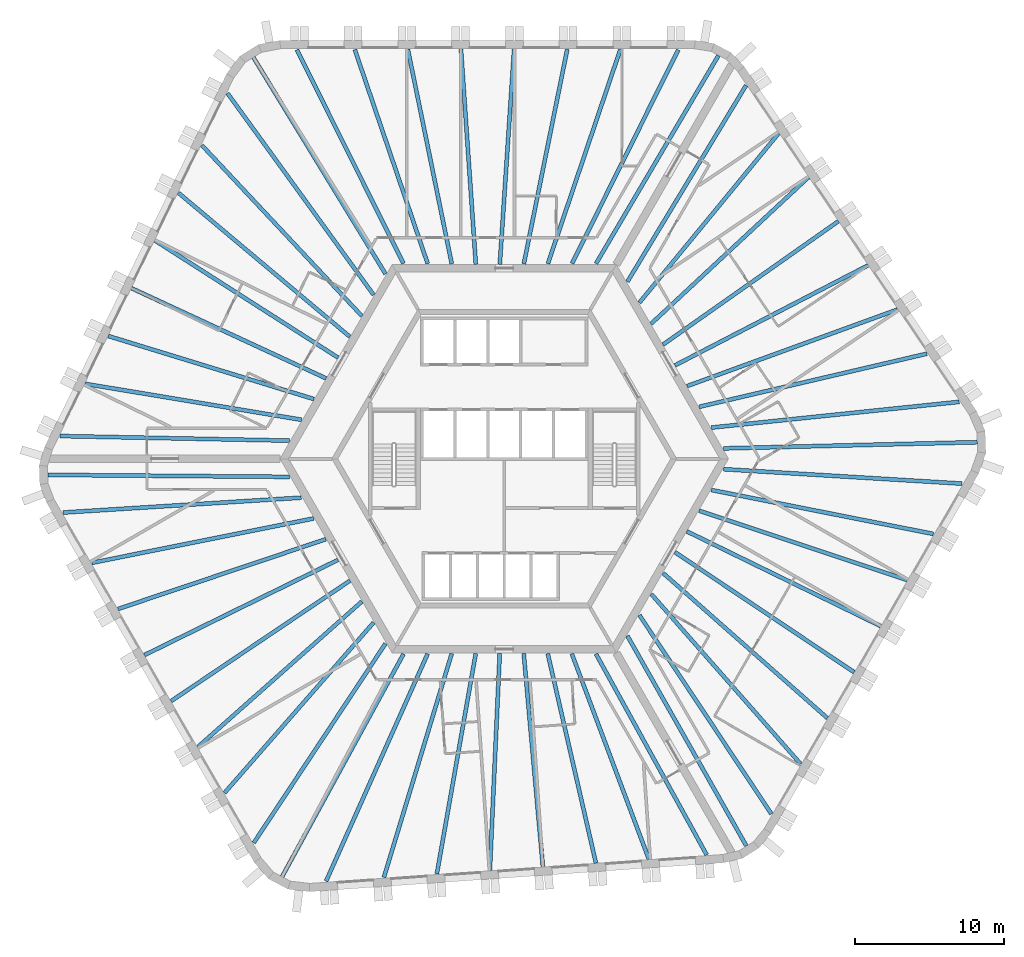
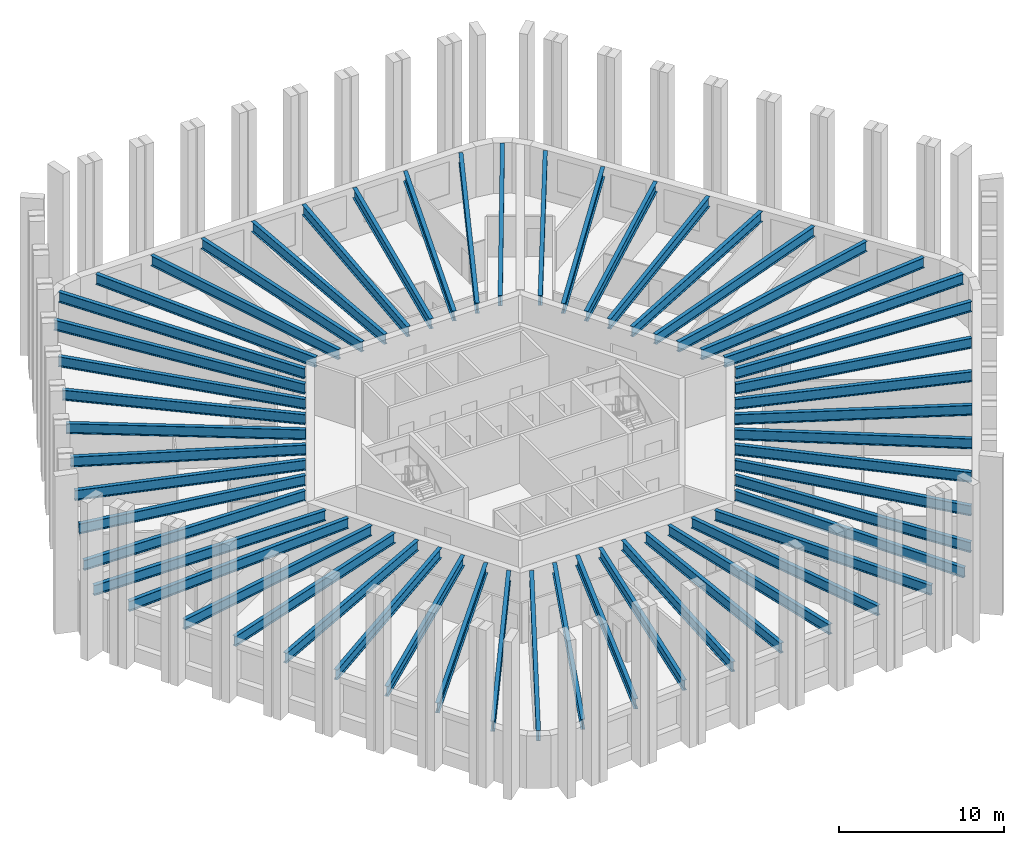
# One storey, part 1 of 9: 54 beams.
"""IFC4 building model written with IfcOpenShell, lengths in metres."""

from ifc_helpers import new_model, si_unit, direction, frame, origin, origin_2d, place, context, subcontext, project, spatial, i_section, extrude, material, material_profile, profile_set, type_object, element, save


model = new_model("IFC4")

# Units and contexts
model_context = context("Model", 3, precision=1e-05, world=origin(), true_north=direction((0.0, 1.0)))
body_context = subcontext(model_context, "Body", "Model", "MODEL_VIEW")
ifc_project = project(units=[si_unit("LENGTHUNIT", "METRE"), si_unit("AREAUNIT", "SQUARE_METRE"), si_unit("VOLUMEUNIT", "CUBIC_METRE"), si_unit("PLANEANGLEUNIT", "RADIAN"), si_unit("MASSUNIT", "GRAM", prefix="KILO")], contexts=[model_context])

# Site, building, storey
site_placement = place(None, origin())
site = spatial("IfcSite", under=ifc_project, at=site_placement, CompositionType="ELEMENT")
building_placement = place(site_placement, origin())
building = spatial("IfcBuilding", under=site, at=building_placement, Name="Tarnside Tower", CompositionType="ELEMENT")
storey_placement = place(building_placement, frame((0.0, 0.0, 215.10009765625)))
storey = spatial("IfcBuildingStorey", under=building, at=storey_placement, Name="L51", CompositionType="ELEMENT", Elevation=215.10009765625)

# Beams
ifc_material = material(Name="Steel S355", Category="steel")
ifc_material_profile_1 = material_profile(ifc_material, i_section(OverallWidth=0.26513671875, OverallDepth=0.75390625, WebThickness=0.0126953125, FlangeThickness=0.017578125, FilletRadius=0.0166015625, at=origin_2d()), Name="UB 762x267x147")
ifc_profile_set_1 = profile_set([ifc_material_profile_1], Name="Steel S355")
beam_type_1 = type_object("IfcBeamType", Name="Floor beam UB 762x267x147", PredefinedType="BEAM", material=ifc_profile_set_1)
beam_1_placement = place(storey_placement, frame((7.77001953125, 27.393310546875, 3.372802734375), z_axis=(-0.320362579778, -0.947295000239, 0.0), x_axis=(0.947295000239, -0.320362579778, 0.0)))
element("IfcBeam", 1, at=beam_1_placement, inside=storey, type_object=beam_type_1, Name="Floor beam F1.02", PredefinedType="BEAM", context=body_context, shape_type="SweptSolid", body=[
    extrude(i_section(OverallWidth=0.26513671875, OverallDepth=0.75390625, WebThickness=0.0126953125, FlangeThickness=0.017578125, FilletRadius=0.0166015625, at=origin_2d()), origin(), (0.0, 0.0, 1.0), 15.134033203125),
])
beam_2_placement = place(storey_placement, frame((4.218505859375, 27.410888671875, 3.372802734375), z_axis=(-0.19841777413, -0.980117537293, 0.0), x_axis=(0.980117537293, -0.19841777413, 0.0)))
element("IfcBeam", 2, at=beam_2_placement, inside=storey, type_object=beam_type_1, Name="Floor beam F1.03", PredefinedType="BEAM", context=body_context, shape_type="SweptSolid", body=[
    extrude(i_section(OverallWidth=0.26513671875, OverallDepth=0.75390625, WebThickness=0.0126953125, FlangeThickness=0.017578125, FilletRadius=0.0166015625, at=origin_2d()), origin(), (0.0, 0.0, 1.0), 14.6630859375),
])
beam_3_placement = place(storey_placement, frame((0.66259765625, 27.429931640625, 3.372802734375), z_axis=(-0.066554914868, -0.997782763585, 0.0), x_axis=(0.997782763585, -0.066554914868, 0.0)))
element("IfcBeam", 3, at=beam_3_placement, inside=storey, type_object=beam_type_1, Name="Floor beam F1.04", PredefinedType="BEAM", context=body_context, shape_type="SweptSolid", body=[
    extrude(i_section(OverallWidth=0.26513671875, OverallDepth=0.75390625, WebThickness=0.0126953125, FlangeThickness=0.017578125, FilletRadius=0.0166015625, at=origin_2d()), origin(), (0.0, 0.0, 1.0), 14.44189453125),
])
beam_4_placement = place(storey_placement, frame((-2.8974609375, 27.429931640625, 3.372802734375), z_axis=(0.068876921658, -0.997625164911, 0.0), x_axis=(0.997625164911, 0.068876921658, 0.0)))
element("IfcBeam", 4, at=beam_4_placement, inside=storey, type_object=beam_type_1, Name="Floor beam F1.05", PredefinedType="BEAM", context=body_context, shape_type="SweptSolid", body=[
    extrude(i_section(OverallWidth=0.26513671875, OverallDepth=0.75390625, WebThickness=0.0126953125, FlangeThickness=0.017578125, FilletRadius=0.0166015625, at=origin_2d()), origin(), (0.0, 0.0, 1.0), 14.4443359375),
])
beam_5_placement = place(storey_placement, frame((-6.45361328125, 27.410888671875, 3.372802734375), z_axis=(0.200623497398, -0.979668419564, 0.0), x_axis=(0.979668419564, 0.200623497398, 0.0)))
element("IfcBeam", 5, at=beam_5_placement, inside=storey, type_object=beam_type_1, Name="Floor beam F1.06", PredefinedType="BEAM", context=body_context, shape_type="SweptSolid", body=[
    extrude(i_section(OverallWidth=0.26513671875, OverallDepth=0.75390625, WebThickness=0.0126953125, FlangeThickness=0.017578125, FilletRadius=0.0166015625, at=origin_2d()), origin(), (0.0, 0.0, 1.0), 14.669921875),
])
beam_6_placement = place(storey_placement, frame((-10.0048828125, 27.393310546875, 3.372802734375), z_axis=(0.322343712034, -0.946622697442, 0.0), x_axis=(0.946622697442, 0.322343712034, 0.0)))
element("IfcBeam", 6, at=beam_6_placement, inside=storey, type_object=beam_type_1, Name="Floor beam F1.07", PredefinedType="BEAM", context=body_context, shape_type="SweptSolid", body=[
    extrude(i_section(OverallWidth=0.26513671875, OverallDepth=0.75390625, WebThickness=0.0126953125, FlangeThickness=0.017578125, FilletRadius=0.0166015625, at=origin_2d()), origin(), (0.0, 0.0, 1.0), 15.144775390625),
])
beam_7_placement = place(storey_placement, frame((-20.241455078125, 20.9892578125, 3.372802734375), z_axis=(0.683752330283, -0.729714156936, 0.0), x_axis=(0.729714156936, 0.683752330283, 0.0)))
element("IfcBeam", 7, at=beam_7_placement, inside=storey, type_object=beam_type_1, Name="Floor beam F2.02", PredefinedType="BEAM", context=body_context, shape_type="SweptSolid", body=[
    extrude(i_section(OverallWidth=0.26513671875, OverallDepth=0.75390625, WebThickness=0.0126953125, FlangeThickness=0.017578125, FilletRadius=0.0166015625, at=origin_2d()), origin(), (0.0, 0.0, 1.0), 15.6591796875),
])
beam_8_placement = place(storey_placement, frame((-21.81396484375, 17.80419921875, 3.372802734375), z_axis=(0.765948461073, -0.642901979294, 0.0), x_axis=(0.642901979294, 0.765948461073, 0.0)))
element("IfcBeam", 8, at=beam_8_placement, inside=storey, type_object=beam_type_1, Name="Floor beam F2.03", PredefinedType="BEAM", context=body_context, shape_type="SweptSolid", body=[
    extrude(i_section(OverallWidth=0.26513671875, OverallDepth=0.75390625, WebThickness=0.0126953125, FlangeThickness=0.017578125, FilletRadius=0.0166015625, at=origin_2d()), origin(), (0.0, 0.0, 1.0), 14.982177734375),
])
beam_9_placement = place(storey_placement, frame((-23.389892578125, 14.616455078125, 3.372802734375), z_axis=(0.842378275633, -0.538886667808, 0.0), x_axis=(0.538886667808, 0.842378275633, 0.0)))
element("IfcBeam", 9, at=beam_9_placement, inside=storey, type_object=beam_type_1, Name="Floor beam F2.04", PredefinedType="BEAM", context=body_context, shape_type="SweptSolid", body=[
    extrude(i_section(OverallWidth=0.26513671875, OverallDepth=0.75390625, WebThickness=0.0126953125, FlangeThickness=0.017578125, FilletRadius=0.0166015625, at=origin_2d()), origin(), (0.0, 0.0, 1.0), 14.5595703125),
])
beam_10_placement = place(storey_placement, frame((-24.9501953125, 11.416748046875, 3.372802734375), z_axis=(0.907310131748, -0.420462037321, 0.0), x_axis=(0.420462037321, 0.907310131748, 0.0)))
element("IfcBeam", 10, at=beam_10_placement, inside=storey, type_object=beam_type_1, Name="Floor beam F2.05", PredefinedType="BEAM", context=body_context, shape_type="SweptSolid", body=[
    extrude(i_section(OverallWidth=0.26513671875, OverallDepth=0.75390625, WebThickness=0.0126953125, FlangeThickness=0.017578125, FilletRadius=0.0166015625, at=origin_2d()), origin(), (0.0, 0.0, 1.0), 14.353515625),
])
beam_11_placement = place(storey_placement, frame((-26.510986328125, 8.2177734375, 3.372802734375), z_axis=(0.956073348261, -0.293127536654, 0.0), x_axis=(0.293127536654, 0.956073348261, 0.0)))
element("IfcBeam", 11, at=beam_11_placement, inside=storey, type_object=beam_type_1, Name="Floor beam F2.06", PredefinedType="BEAM", context=body_context, shape_type="SweptSolid", body=[
    extrude(i_section(OverallWidth=0.26513671875, OverallDepth=0.75390625, WebThickness=0.0126953125, FlangeThickness=0.017578125, FilletRadius=0.0166015625, at=origin_2d()), origin(), (0.0, 0.0, 1.0), 14.3955078125),
])
beam_12_placement = place(storey_placement, frame((-28.0517578125, 5.015869140625, 3.372802734375), z_axis=(0.986476498304, -0.163902770858, 0.0), x_axis=(0.163902770858, 0.986476498304, 0.0)))
element("IfcBeam", 12, at=beam_12_placement, inside=storey, type_object=beam_type_1, Name="Floor beam F2.07", PredefinedType="BEAM", context=body_context, shape_type="SweptSolid", body=[
    extrude(i_section(OverallWidth=0.26513671875, OverallDepth=0.75390625, WebThickness=0.0126953125, FlangeThickness=0.017578125, FilletRadius=0.0166015625, at=origin_2d()), origin(), (0.0, 0.0, 1.0), 14.680908203125),
])
beam_13_placement = place(storey_placement, frame((-29.73828125, 1.521484375, 3.372802734375), z_axis=(0.999800142641, -0.019991867701, 0.0), x_axis=(0.019991867701, 0.999800142641, 0.0)))
element("IfcBeam", 13, at=beam_13_placement, inside=storey, type_object=beam_type_1, Name="Floor beam F2.08", PredefinedType="BEAM", context=body_context, shape_type="SweptSolid", body=[
    extrude(i_section(OverallWidth=0.26513671875, OverallDepth=0.75390625, WebThickness=0.0126953125, FlangeThickness=0.017578125, FilletRadius=0.0166015625, at=origin_2d()), origin(), (0.0, 0.0, 1.0), 15.3505859375),
])
beam_14_placement = place(storey_placement, frame((-27.608154296875, -6.967529296875, 3.372802734375), z_axis=(0.980564540422, 0.196196794232, 0.0), x_axis=(-0.196196794232, 0.980564540422, 0.0)))
element("IfcBeam", 14, at=beam_14_placement, inside=storey, type_object=beam_type_1, Name="Floor beam F3.02", PredefinedType="BEAM", context=body_context, shape_type="SweptSolid", body=[
    extrude(i_section(OverallWidth=0.26513671875, OverallDepth=0.75390625, WebThickness=0.0126953125, FlangeThickness=0.017578125, FilletRadius=0.0166015625, at=origin_2d()), origin(), (0.0, 0.0, 1.0), 15.134033203125),
])
beam_15_placement = place(storey_placement, frame((-25.84765625, -10.052001953125, 3.372802734375), z_axis=(0.948011835322, 0.31823507049, 0.0), x_axis=(-0.31823507049, 0.948011835322, 0.0)))
element("IfcBeam", 15, at=beam_15_placement, inside=storey, type_object=beam_type_1, Name="Floor beam F3.03", PredefinedType="BEAM", context=body_context, shape_type="SweptSolid", body=[
    extrude(i_section(OverallWidth=0.26513671875, OverallDepth=0.75390625, WebThickness=0.0126953125, FlangeThickness=0.017578125, FilletRadius=0.0166015625, at=origin_2d()), origin(), (0.0, 0.0, 1.0), 14.662841796875),
])
beam_16_placement = place(storey_placement, frame((-24.086181640625, -13.141357421875, 3.372802734375), z_axis=(0.897375974806, 0.441266767206, 0.0), x_axis=(-0.441266767206, 0.897375974806, 0.0)))
element("IfcBeam", 16, at=beam_16_placement, inside=storey, type_object=beam_type_1, Name="Floor beam F3.04", PredefinedType="BEAM", context=body_context, shape_type="SweptSolid", body=[
    extrude(i_section(OverallWidth=0.26513671875, OverallDepth=0.75390625, WebThickness=0.0126953125, FlangeThickness=0.017578125, FilletRadius=0.0166015625, at=origin_2d()), origin(), (0.0, 0.0, 1.0), 14.442138671875),
])
beam_17_placement = place(storey_placement, frame((-22.306396484375, -16.224365234375, 3.372802734375), z_axis=(0.829532486243, 0.558458462437, 0.0), x_axis=(-0.558458462437, 0.829532486243, 0.0)))
element("IfcBeam", 17, at=beam_17_placement, inside=storey, type_object=beam_type_1, Name="Floor beam F3.05", PredefinedType="BEAM", context=body_context, shape_type="SweptSolid", body=[
    extrude(i_section(OverallWidth=0.26513671875, OverallDepth=0.75390625, WebThickness=0.0126953125, FlangeThickness=0.017578125, FilletRadius=0.0166015625, at=origin_2d()), origin(), (0.0, 0.0, 1.0), 14.444580078125),
])
beam_18_placement = place(storey_placement, frame((-20.51171875, -19.294189453125, 3.372802734375), z_axis=(0.74811408094, 0.663570133369, 0.0), x_axis=(-0.663570133369, 0.74811408094, 0.0)))
element("IfcBeam", 18, at=beam_18_placement, inside=storey, type_object=beam_type_1, Name="Floor beam F3.06", PredefinedType="BEAM", context=body_context, shape_type="SweptSolid", body=[
    extrude(i_section(OverallWidth=0.26513671875, OverallDepth=0.75390625, WebThickness=0.0126953125, FlangeThickness=0.017578125, FilletRadius=0.0166015625, at=origin_2d()), origin(), (0.0, 0.0, 1.0), 14.669677734375),
])
beam_19_placement = place(storey_placement, frame((-18.720703125, -22.361083984375, 3.372802734375), z_axis=(0.658621010302, 0.752474826681, 0.0), x_axis=(-0.752474826681, 0.658621010302, 0.0)))
element("IfcBeam", 19, at=beam_19_placement, inside=storey, type_object=beam_type_1, Name="Floor beam F3.07", PredefinedType="BEAM", context=body_context, shape_type="SweptSolid", body=[
    extrude(i_section(OverallWidth=0.26513671875, OverallDepth=0.75390625, WebThickness=0.0126953125, FlangeThickness=0.017578125, FilletRadius=0.0166015625, at=origin_2d()), origin(), (0.0, 0.0, 1.0), 15.144775390625),
])
beam_20_placement = place(storey_placement, frame((-8.056396484375, -28.024169921875, 3.372802734375), z_axis=(0.290070138838, 0.957005388989, 0.0), x_axis=(-0.957005388989, 0.290070138838, 0.0)))
element("IfcBeam", 20, at=beam_20_placement, inside=storey, type_object=beam_type_1, Name="Floor beam F4.02", PredefinedType="BEAM", context=body_context, shape_type="SweptSolid", body=[
    extrude(i_section(OverallWidth=0.26513671875, OverallDepth=0.75390625, WebThickness=0.0126953125, FlangeThickness=0.017578125, FilletRadius=0.0166015625, at=origin_2d()), origin(), (0.0, 0.0, 1.0), 15.6591796875),
])
beam_21_placement = place(storey_placement, frame((-4.511962890625, -27.793701171875, 3.372802734375), z_axis=(0.173788122681, 0.984783066678, 0.0), x_axis=(-0.984783066678, 0.173788122681, 0.0)))
element("IfcBeam", 21, at=beam_21_placement, inside=storey, type_object=beam_type_1, Name="Floor beam F4.03", PredefinedType="BEAM", context=body_context, shape_type="SweptSolid", body=[
    extrude(i_section(OverallWidth=0.26513671875, OverallDepth=0.75390625, WebThickness=0.0126953125, FlangeThickness=0.017578125, FilletRadius=0.0166015625, at=origin_2d()), origin(), (0.0, 0.0, 1.0), 14.982421875),
])
beam_22_placement = place(storey_placement, frame((-0.96337890625, -27.564453125, 3.372802734375), z_axis=(0.045509585226, 0.998963902077, 0.0), x_axis=(-0.998963902077, 0.045509585226, 0.0)))
element("IfcBeam", 22, at=beam_22_placement, inside=storey, type_object=beam_type_1, Name="Floor beam F4.04", PredefinedType="BEAM", context=body_context, shape_type="SweptSolid", body=[
    extrude(i_section(OverallWidth=0.26513671875, OverallDepth=0.75390625, WebThickness=0.0126953125, FlangeThickness=0.017578125, FilletRadius=0.0166015625, at=origin_2d()), origin(), (0.0, 0.0, 1.0), 14.5595703125),
])
beam_23_placement = place(storey_placement, frame((2.587890625, -27.31591796875, 3.372802734375), z_axis=(-0.089518916897, 0.995985122137, 0.0), x_axis=(-0.995985122137, -0.089518916897, 0.0)))
element("IfcBeam", 23, at=beam_23_placement, inside=storey, type_object=beam_type_1, Name="Floor beam F4.05", PredefinedType="BEAM", context=body_context, shape_type="SweptSolid", body=[
    extrude(i_section(OverallWidth=0.26513671875, OverallDepth=0.75390625, WebThickness=0.0126953125, FlangeThickness=0.017578125, FilletRadius=0.0166015625, at=origin_2d()), origin(), (0.0, 0.0, 1.0), 14.353515625),
])
beam_24_placement = place(storey_placement, frame((6.138671875, -27.068115234375, 3.372802734375), z_axis=(-0.224188122435, 0.974545886944, 0.0), x_axis=(-0.974545886944, -0.224188122435, 0.0)))
element("IfcBeam", 24, at=beam_24_placement, inside=storey, type_object=beam_type_1, Name="Floor beam F4.06", PredefinedType="BEAM", context=body_context, shape_type="SweptSolid", body=[
    extrude(i_section(OverallWidth=0.26513671875, OverallDepth=0.75390625, WebThickness=0.0126953125, FlangeThickness=0.017578125, FilletRadius=0.0166015625, at=origin_2d()), origin(), (0.0, 0.0, 1.0), 14.3955078125),
])
beam_25_placement = place(storey_placement, frame((9.681884765625, -26.801513671875, 3.372802734375), z_axis=(-0.351271055087, 0.936273809234, 0.0), x_axis=(-0.936273809234, -0.351271055087, 0.0)))
element("IfcBeam", 25, at=beam_25_placement, inside=storey, type_object=beam_type_1, Name="Floor beam F4.07", PredefinedType="BEAM", context=body_context, shape_type="SweptSolid", body=[
    extrude(i_section(OverallWidth=0.26513671875, OverallDepth=0.75390625, WebThickness=0.0126953125, FlangeThickness=0.017578125, FilletRadius=0.0166015625, at=origin_2d()), origin(), (0.0, 0.0, 1.0), 14.680908203125),
])
beam_26_placement = place(storey_placement, frame((13.551513671875, -26.514892578125, 3.372802734375), z_axis=(-0.482584088089, 0.875849643445, 0.0), x_axis=(-0.875849643445, -0.482584088089, 0.0)))
element("IfcBeam", 26, at=beam_26_placement, inside=storey, type_object=beam_type_1, Name="Floor beam F4.08", PredefinedType="BEAM", context=body_context, shape_type="SweptSolid", body=[
    extrude(i_section(OverallWidth=0.26513671875, OverallDepth=0.75390625, WebThickness=0.0126953125, FlangeThickness=0.017578125, FilletRadius=0.0166015625, at=origin_2d()), origin(), (0.0, 0.0, 1.0), 15.3505859375),
])
beam_27_placement = place(storey_placement, frame((19.838134765625, -20.425537109375, 3.372802734375), z_axis=(-0.660201214512, 0.751088780609, 0.0), x_axis=(-0.751088780609, -0.660201214512, 0.0)))
element("IfcBeam", 27, at=beam_27_placement, inside=storey, type_object=beam_type_1, Name="Floor beam F5.02", PredefinedType="BEAM", context=body_context, shape_type="SweptSolid", body=[
    extrude(i_section(OverallWidth=0.26513671875, OverallDepth=0.75390625, WebThickness=0.0126953125, FlangeThickness=0.017578125, FilletRadius=0.0166015625, at=origin_2d()), origin(), (0.0, 0.0, 1.0), 15.134033203125),
])
beam_28_placement = place(storey_placement, frame((21.629150390625, -17.358642578125, 3.372802734375), z_axis=(-0.749601662028, 0.661889226597, 0.0), x_axis=(-0.661889226597, -0.749601662028, 0.0)))
element("IfcBeam", 28, at=beam_28_placement, inside=storey, type_object=beam_type_1, Name="Floor beam F5.03", PredefinedType="BEAM", context=body_context, shape_type="SweptSolid", body=[
    extrude(i_section(OverallWidth=0.26513671875, OverallDepth=0.75390625, WebThickness=0.0126953125, FlangeThickness=0.017578125, FilletRadius=0.0166015625, at=origin_2d()), origin(), (0.0, 0.0, 1.0), 14.6630859375),
])
beam_29_placement = place(storey_placement, frame((23.423828125, -14.288818359375, 3.372802734375), z_axis=(-0.830825943553, 0.556532345439, 0.0), x_axis=(-0.556532345439, -0.830825943553, 0.0)))
element("IfcBeam", 29, at=beam_29_placement, inside=storey, type_object=beam_type_1, Name="Floor beam F5.04", PredefinedType="BEAM", context=body_context, shape_type="SweptSolid", body=[
    extrude(i_section(OverallWidth=0.26513671875, OverallDepth=0.75390625, WebThickness=0.0126953125, FlangeThickness=0.017578125, FilletRadius=0.0166015625, at=origin_2d()), origin(), (0.0, 0.0, 1.0), 14.4423828125),
])
beam_30_placement = place(storey_placement, frame((25.203857421875, -11.205810546875, 3.372802734375), z_axis=(-0.898407034897, 0.43916375038, 0.0), x_axis=(-0.43916375038, -0.898407034897, 0.0)))
element("IfcBeam", 30, at=beam_30_placement, inside=storey, type_object=beam_type_1, Name="Floor beam F5.05", PredefinedType="BEAM", context=body_context, shape_type="SweptSolid", body=[
    extrude(i_section(OverallWidth=0.26513671875, OverallDepth=0.75390625, WebThickness=0.0126953125, FlangeThickness=0.017578125, FilletRadius=0.0166015625, at=origin_2d()), origin(), (0.0, 0.0, 1.0), 14.444580078125),
])
beam_31_placement = place(storey_placement, frame((26.965087890625, -8.116455078125, 3.372802734375), z_axis=(-0.948728223501, 0.31609295774, 0.0), x_axis=(-0.31609295774, -0.948728223501, 0.0)))
element("IfcBeam", 31, at=beam_31_placement, inside=storey, type_object=beam_type_1, Name="Floor beam F5.06", PredefinedType="BEAM", context=body_context, shape_type="SweptSolid", body=[
    extrude(i_section(OverallWidth=0.26513671875, OverallDepth=0.75390625, WebThickness=0.0126953125, FlangeThickness=0.017578125, FilletRadius=0.0166015625, at=origin_2d()), origin(), (0.0, 0.0, 1.0), 14.669677734375),
])
beam_32_placement = place(storey_placement, frame((28.7255859375, -5.031982421875, 3.372802734375), z_axis=(-0.980974250646, 0.194137888034, 0.0), x_axis=(-0.194137888034, -0.980974250646, 0.0)))
element("IfcBeam", 32, at=beam_32_placement, inside=storey, type_object=beam_type_1, Name="Floor beam F5.07", PredefinedType="BEAM", context=body_context, shape_type="SweptSolid", body=[
    extrude(i_section(OverallWidth=0.26513671875, OverallDepth=0.75390625, WebThickness=0.0126953125, FlangeThickness=0.017578125, FilletRadius=0.0166015625, at=origin_2d()), origin(), (0.0, 0.0, 1.0), 15.144775390625),
])
beam_33_placement = place(storey_placement, frame((28.2978515625, 7.034912109375, 3.372802734375), z_axis=(-0.973828212928, -0.227285309042, 0.0), x_axis=(0.227285309042, -0.973828212928, 0.0)))
element("IfcBeam", 33, at=beam_33_placement, inside=storey, type_object=beam_type_1, Name="Floor beam F6.02", PredefinedType="BEAM", context=body_context, shape_type="SweptSolid", body=[
    extrude(i_section(OverallWidth=0.26513671875, OverallDepth=0.75390625, WebThickness=0.0126953125, FlangeThickness=0.017578125, FilletRadius=0.0166015625, at=origin_2d()), origin(), (0.0, 0.0, 1.0), 15.6591796875),
])
beam_34_placement = place(storey_placement, frame((26.325927734375, 9.989501953125, 3.372802734375), z_axis=(-0.939738697004, -0.341893523415, 0.0), x_axis=(0.341893523415, -0.939738697004, 0.0)))
element("IfcBeam", 34, at=beam_34_placement, inside=storey, type_object=beam_type_1, Name="Floor beam F6.03", PredefinedType="BEAM", context=body_context, shape_type="SweptSolid", body=[
    extrude(i_section(OverallWidth=0.26513671875, OverallDepth=0.75390625, WebThickness=0.0126953125, FlangeThickness=0.017578125, FilletRadius=0.0166015625, at=origin_2d()), origin(), (0.0, 0.0, 1.0), 14.982177734375),
])
beam_35_placement = place(storey_placement, frame((24.353271484375, 12.947998046875, 3.372802734375), z_axis=(-0.887881646639, -0.460071930856, 0.0), x_axis=(0.460071930856, -0.887881646639, 0.0)))
element("IfcBeam", 35, at=beam_35_placement, inside=storey, type_object=beam_type_1, Name="Floor beam F6.04", PredefinedType="BEAM", context=body_context, shape_type="SweptSolid", body=[
    extrude(i_section(OverallWidth=0.26513671875, OverallDepth=0.75390625, WebThickness=0.0126953125, FlangeThickness=0.017578125, FilletRadius=0.0166015625, at=origin_2d()), origin(), (0.0, 0.0, 1.0), 14.5595703125),
])
beam_36_placement = place(storey_placement, frame((22.3623046875, 15.899169921875, 3.372802734375), z_axis=(-0.817791001708, -0.575515314762, 0.0), x_axis=(0.575515314762, -0.817791001708, 0.0)))
element("IfcBeam", 36, at=beam_36_placement, inside=storey, type_object=beam_type_1, Name="Floor beam F6.05", PredefinedType="BEAM", context=body_context, shape_type="SweptSolid", body=[
    extrude(i_section(OverallWidth=0.26513671875, OverallDepth=0.75390625, WebThickness=0.0126953125, FlangeThickness=0.017578125, FilletRadius=0.0166015625, at=origin_2d()), origin(), (0.0, 0.0, 1.0), 14.353759765625),
])
beam_37_placement = place(storey_placement, frame((20.372314453125, 18.850341796875, 3.372802734375), z_axis=(-0.731892224456, -0.681420407517, 0.0), x_axis=(0.681420407517, -0.731892224456, 0.0)))
element("IfcBeam", 37, at=beam_37_placement, inside=storey, type_object=beam_type_1, Name="Floor beam F6.06", PredefinedType="BEAM", context=body_context, shape_type="SweptSolid", body=[
    extrude(i_section(OverallWidth=0.26513671875, OverallDepth=0.75390625, WebThickness=0.0126953125, FlangeThickness=0.017578125, FilletRadius=0.0166015625, at=origin_2d()), origin(), (0.0, 0.0, 1.0), 14.3955078125),
])
beam_38_placement = place(storey_placement, frame((18.369873046875, 21.78564453125, 3.372802734375), z_axis=(-0.635191827457, -0.772354414975, 0.0), x_axis=(0.772354414975, -0.635191827457, 0.0)))
element("IfcBeam", 38, at=beam_38_placement, inside=storey, type_object=beam_type_1, Name="Floor beam F6.07", PredefinedType="BEAM", context=body_context, shape_type="SweptSolid", body=[
    extrude(i_section(OverallWidth=0.26513671875, OverallDepth=0.75390625, WebThickness=0.0126953125, FlangeThickness=0.017578125, FilletRadius=0.0166015625, at=origin_2d()), origin(), (0.0, 0.0, 1.0), 14.680908203125),
])
beam_39_placement = place(storey_placement, frame((16.186767578125, 24.993408203125, 3.372802734375), z_axis=(-0.517208605106, -0.855859368591, 0.0), x_axis=(0.855859368591, -0.517208605106, 0.0)))
element("IfcBeam", 39, at=beam_39_placement, inside=storey, type_object=beam_type_1, Name="Floor beam F6.08", PredefinedType="BEAM", context=body_context, shape_type="SweptSolid", body=[
    extrude(i_section(OverallWidth=0.26513671875, OverallDepth=0.75390625, WebThickness=0.0126953125, FlangeThickness=0.017578125, FilletRadius=0.0166015625, at=origin_2d()), origin(), (0.0, 0.0, 1.0), 15.3505859375),
])
ifc_material_profile_2 = material_profile(ifc_material, i_section(OverallWidth=0.2666015625, OverallDepth=0.76220703125, WebThickness=0.014404296875, FlangeThickness=0.021484375, FilletRadius=0.0166015625, at=origin_2d()), Name="UB 762x267x173")
ifc_profile_set_2 = profile_set([ifc_material_profile_2], Name="Steel S355")
beam_type_2 = type_object("IfcBeamType", Name="Floor beam UB 762x267x173", PredefinedType="BEAM", material=ifc_profile_set_2)
beam_40_placement = place(storey_placement, frame((11.6494140625, 27.37841796875, 3.368896484375), z_axis=(-0.445042310328, -0.895509543231, 0.0), x_axis=(0.895509543231, -0.445042310328, 0.0)))
element("IfcBeam", 40, at=beam_40_placement, inside=storey, type_object=beam_type_2, Name="Floor beam F1.01", PredefinedType="BEAM", context=body_context, shape_type="SweptSolid", body=[
    extrude(i_section(OverallWidth=0.2666015625, OverallDepth=0.76220703125, WebThickness=0.014404296875, FlangeThickness=0.021484375, FilletRadius=0.0166015625, at=origin_2d()), origin(), (0.0, 0.0, 1.0), 15.976318359375),
])
beam_41_placement = place(storey_placement, frame((-13.884521484375, 27.37841796875, 3.368896484375), z_axis=(0.44673108957, -0.894668281326, 0.0), x_axis=(0.894668281326, 0.44673108957, 0.0)))
element("IfcBeam", 41, at=beam_41_placement, inside=storey, type_object=beam_type_2, Name="Floor beam F1.08", PredefinedType="BEAM", context=body_context, shape_type="SweptSolid", body=[
    extrude(i_section(OverallWidth=0.2666015625, OverallDepth=0.76220703125, WebThickness=0.014404296875, FlangeThickness=0.021484375, FilletRadius=0.0166015625, at=origin_2d()), origin(), (0.0, 0.0, 1.0), 15.9912109375),
])
beam_42_placement = place(storey_placement, frame((-16.79345703125, 26.86962890625, 3.368896484375), z_axis=(0.520940467881, -0.853593011291, 0.0), x_axis=(0.853593011291, 0.520940467881, 0.0)))
element("IfcBeam", 42, at=beam_42_placement, inside=storey, type_object=beam_type_2, Name="Floor beam C1", PredefinedType="BEAM", context=body_context, shape_type="SweptSolid", body=[
    extrude(i_section(OverallWidth=0.2666015625, OverallDepth=0.76220703125, WebThickness=0.014404296875, FlangeThickness=0.021484375, FilletRadius=0.0166015625, at=origin_2d()), origin(), (0.0, 0.0, 1.0), 16.980712890625),
])
beam_43_placement = place(storey_placement, frame((-18.52685546875, 24.471435546875, 3.368896484375), z_axis=(0.586791943415, -0.80973774467, 0.0), x_axis=(0.80973774467, 0.586791943415, 0.0)))
element("IfcBeam", 43, at=beam_43_placement, inside=storey, type_object=beam_type_2, Name="Floor beam F2.01", PredefinedType="BEAM", context=body_context, shape_type="SweptSolid", body=[
    extrude(i_section(OverallWidth=0.2666015625, OverallDepth=0.76220703125, WebThickness=0.014404296875, FlangeThickness=0.021484375, FilletRadius=0.0166015625, at=origin_2d()), origin(), (0.0, 0.0, 1.0), 16.67578125),
])
beam_44_placement = place(storey_placement, frame((-30.543212890625, -1.079345703125, 3.368896484375), z_axis=(0.999966072652, -0.008237326324, 0.0), x_axis=(0.008237326324, 0.999966072652, 0.0)))
element("IfcBeam", 44, at=beam_44_placement, inside=storey, type_object=beam_type_2, Name="Floor beam C2", PredefinedType="BEAM", context=body_context, shape_type="SweptSolid", body=[
    extrude(i_section(OverallWidth=0.2666015625, OverallDepth=0.76220703125, WebThickness=0.014404296875, FlangeThickness=0.021484375, FilletRadius=0.0166015625, at=origin_2d()), origin(), (0.0, 0.0, 1.0), 16.15283203125),
])
beam_45_placement = place(storey_placement, frame((-29.534912109375, -3.6005859375, 3.368896484375), z_axis=(0.99805531279, 0.062334521832, 0.0), x_axis=(-0.062334521832, 0.99805531279, 0.0)))
element("IfcBeam", 45, at=beam_45_placement, inside=storey, type_object=beam_type_2, Name="Floor beam F3.01", PredefinedType="BEAM", context=body_context, shape_type="SweptSolid", body=[
    extrude(i_section(OverallWidth=0.2666015625, OverallDepth=0.76220703125, WebThickness=0.014404296875, FlangeThickness=0.021484375, FilletRadius=0.0166015625, at=origin_2d()), origin(), (0.0, 0.0, 1.0), 15.975830078125),
])
beam_46_placement = place(storey_placement, frame((-16.768310546875, -25.71337890625, 3.368896484375), z_axis=(0.551447600123, 0.834209532623, 0.0), x_axis=(-0.834209532623, 0.551447600123, 0.0)))
element("IfcBeam", 46, at=beam_46_placement, inside=storey, type_object=beam_type_2, Name="Floor beam F3.08", PredefinedType="BEAM", context=body_context, shape_type="SweptSolid", body=[
    extrude(i_section(OverallWidth=0.2666015625, OverallDepth=0.76220703125, WebThickness=0.014404296875, FlangeThickness=0.021484375, FilletRadius=0.0166015625, at=origin_2d()), origin(), (0.0, 0.0, 1.0), 15.9912109375),
])
beam_47_placement = place(storey_placement, frame((-14.873046875, -27.978515625, 3.368896484375), z_axis=(0.478767512404, 0.877941723047, 0.0), x_axis=(-0.877941723047, 0.478767512404, 0.0)))
element("IfcBeam", 47, at=beam_47_placement, inside=storey, type_object=beam_type_2, Name="Floor beam C3", PredefinedType="BEAM", context=body_context, shape_type="SweptSolid", body=[
    extrude(i_section(OverallWidth=0.2666015625, OverallDepth=0.76220703125, WebThickness=0.014404296875, FlangeThickness=0.021484375, FilletRadius=0.0166015625, at=origin_2d()), origin(), (0.0, 0.0, 1.0), 16.98095703125),
])
beam_48_placement = place(storey_placement, frame((-11.929443359375, -28.280517578125, 3.368896484375), z_axis=(0.407852035629, 0.913048036542, 0.0), x_axis=(-0.913048036542, 0.407852035629, 0.0)))
element("IfcBeam", 48, at=beam_48_placement, inside=storey, type_object=beam_type_2, Name="Floor beam F4.01", PredefinedType="BEAM", context=body_context, shape_type="SweptSolid", body=[
    extrude(i_section(OverallWidth=0.2666015625, OverallDepth=0.76220703125, WebThickness=0.014404296875, FlangeThickness=0.021484375, FilletRadius=0.0166015625, at=origin_2d()), origin(), (0.0, 0.0, 1.0), 16.67578125),
])
beam_49_placement = place(storey_placement, frame((16.206298828125, -25.91162109375, 3.368896484375), z_axis=(-0.492847437034, 0.870115741616, 0.0), x_axis=(-0.870115741616, -0.492847437034, 0.0)))
element("IfcBeam", 49, at=beam_49_placement, inside=storey, type_object=beam_type_2, Name="Floor beam C4", PredefinedType="BEAM", context=body_context, shape_type="SweptSolid", body=[
    extrude(i_section(OverallWidth=0.2666015625, OverallDepth=0.76220703125, WebThickness=0.014404296875, FlangeThickness=0.021484375, FilletRadius=0.0166015625, at=origin_2d()), origin(), (0.0, 0.0, 1.0), 16.15283203125),
])
beam_50_placement = place(storey_placement, frame((17.8857421875, -23.77783203125, 3.368896484375), z_axis=(-0.553013371197, 0.833172377889, 0.0), x_axis=(-0.833172377889, -0.553013371197, 0.0)))
element("IfcBeam", 50, at=beam_50_placement, inside=storey, type_object=beam_type_2, Name="Floor beam F5.01", PredefinedType="BEAM", context=body_context, shape_type="SweptSolid", body=[
    extrude(i_section(OverallWidth=0.2666015625, OverallDepth=0.76220703125, WebThickness=0.014404296875, FlangeThickness=0.021484375, FilletRadius=0.0166015625, at=origin_2d()), origin(), (0.0, 0.0, 1.0), 15.97607421875),
])
beam_51_placement = place(storey_placement, frame((30.652587890625, -1.6650390625, 3.368896484375), z_axis=(-0.998170730858, 0.060458184371, 0.0), x_axis=(-0.060458184371, -0.998170730858, 0.0)))
element("IfcBeam", 51, at=beam_51_placement, inside=storey, type_object=beam_type_2, Name="Floor beam F5.08", PredefinedType="BEAM", context=body_context, shape_type="SweptSolid", body=[
    extrude(i_section(OverallWidth=0.2666015625, OverallDepth=0.76220703125, WebThickness=0.014404296875, FlangeThickness=0.021484375, FilletRadius=0.0166015625, at=origin_2d()), origin(), (0.0, 0.0, 1.0), 15.9912109375),
])
beam_52_placement = place(storey_placement, frame((31.66650390625, 1.108642578125, 3.368896484375), z_axis=(-0.999703706976, -0.024341287118, 0.0), x_axis=(0.024341287118, -0.999703706976, 0.0)))
element("IfcBeam", 52, at=beam_52_placement, inside=storey, type_object=beam_type_2, Name="Floor beam C5", PredefinedType="BEAM", context=body_context, shape_type="SweptSolid", body=[
    extrude(i_section(OverallWidth=0.2666015625, OverallDepth=0.76220703125, WebThickness=0.014404296875, FlangeThickness=0.021484375, FilletRadius=0.0166015625, at=origin_2d()), origin(), (0.0, 0.0, 1.0), 16.980712890625),
])
beam_53_placement = place(storey_placement, frame((30.456298828125, 3.80908203125, 3.368896484375), z_axis=(-0.994648352349, -0.103318222829, 0.0), x_axis=(0.103318222829, -0.994648352349, 0.0)))
element("IfcBeam", 53, at=beam_53_placement, inside=storey, type_object=beam_type_2, Name="Floor beam F6.01", PredefinedType="BEAM", context=body_context, shape_type="SweptSolid", body=[
    extrude(i_section(OverallWidth=0.2666015625, OverallDepth=0.76220703125, WebThickness=0.014404296875, FlangeThickness=0.021484375, FilletRadius=0.0166015625, at=origin_2d()), origin(), (0.0, 0.0, 1.0), 16.67578125),
])
beam_54_placement = place(storey_placement, frame((14.3369140625, 26.990966796875, 3.368896484375), z_axis=(-0.507115238706, -0.861878259775, 0.0), x_axis=(0.861878259775, -0.507115238706, 0.0)))
element("IfcBeam", 54, at=beam_54_placement, inside=storey, type_object=beam_type_2, Name="Floor beam C6", PredefinedType="BEAM", context=body_context, shape_type="SweptSolid", body=[
    extrude(i_section(OverallWidth=0.2666015625, OverallDepth=0.76220703125, WebThickness=0.014404296875, FlangeThickness=0.021484375, FilletRadius=0.0166015625, at=origin_2d()), origin(), (0.0, 0.0, 1.0), 16.15283203125),
])

save(model, "model.ifc")
